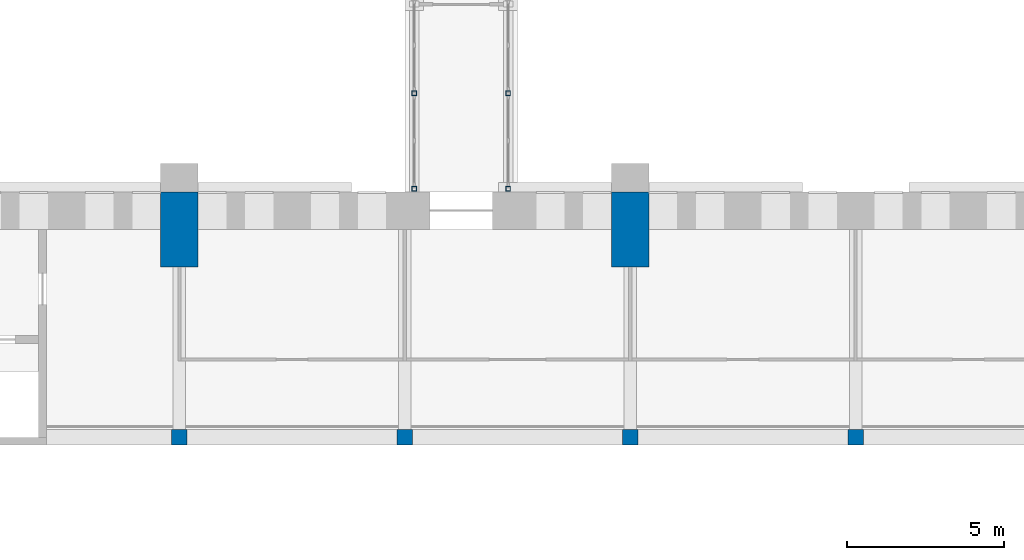
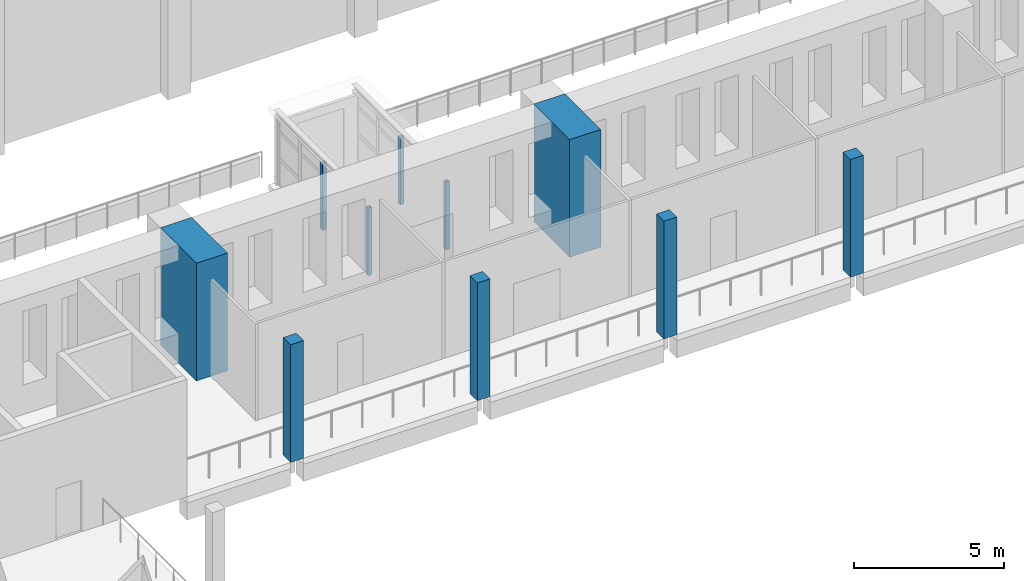
# One storey, part 17 of 131: 10 columns.
"""IFC4 building model written with IfcOpenShell, lengths in metres."""

from ifc_helpers import new_model, si_unit, direction, frame, origin, origin_2d, place, context, subcontext, project, spatial, rectangle, hollow_rectangle, extrude, material, material_profile, profile_set, type_object, element, save


model = new_model("IFC4")

# Units and contexts
model_context = context("Model", 3, precision=1e-05, world=origin(), true_north=direction((0.0, 1.0)))
body_context = subcontext(model_context, "Body", "Model", "MODEL_VIEW")
ifc_project = project(units=[si_unit("LENGTHUNIT", "METRE"), si_unit("AREAUNIT", "SQUARE_METRE"), si_unit("VOLUMEUNIT", "CUBIC_METRE"), si_unit("PLANEANGLEUNIT", "RADIAN"), si_unit("MASSUNIT", "GRAM", prefix="KILO")], contexts=[model_context])

# Site, building, storey
site_placement = place(None, origin())
site = spatial("IfcSite", under=ifc_project, at=site_placement, CompositionType="ELEMENT")
building_placement = place(site_placement, origin())
building = spatial("IfcBuilding", under=site, at=building_placement, Name="Alderwick Market Hall", CompositionType="ELEMENT")
storey_placement = place(building_placement, frame((0.0, 0.0, 4.800048828125)))
storey = spatial("IfcBuildingStorey", under=building, at=storey_placement, Name="L00", CompositionType="ELEMENT", Elevation=4.800048828125)

# Columns
ifc_material_1 = material(Name="Concrete 5000 psi (f'c 35 MPa)", Category="concrete")
ifc_material_profile_1 = material_profile(ifc_material_1, rectangle(XDim=0.5, YDim=0.5, at=origin_2d()), Name="RC 500x500")
ifc_profile_set_1 = profile_set([ifc_material_profile_1], Name="Concrete 5000 psi (f'c 35 MPa)")
column_type_1 = type_object("IfcColumnType", Name="H Column 500x500", PredefinedType="COLUMN", material=ifc_profile_set_1)
for number, where, z_axis, x_axis, name in (
    (1, (64.800048828125, 100.760009765625, 0.0), (0.0, 0.0, 1.0), (1.0, 0.0, 0.0), "Gallery column N2"),
    (2, (72.0, 100.760009765625, 0.0), (0.0, 0.0, 1.0), (1.0, 0.0, 0.0), "Gallery column N4"),
    (3, (79.199951171875, 100.760009765625, 0.0), (0.0, 0.0, 1.0), (1.0, 0.0, 0.0), "Gallery column N6"),
    (4, (86.39990234375, 100.760009765625, 0.0), (0.0, 0.0, 1.0), (1.0, 0.0, 0.0), "Gallery column N8"),
):
    element("IfcColumn", number, at=place(storey_placement, frame(where, z_axis=z_axis, x_axis=x_axis)), inside=storey, type_object=column_type_1, Name=name, PredefinedType="COLUMN", context=body_context, shape_type="SweptSolid", body=[
        extrude(rectangle(XDim=0.5, YDim=0.5, at=origin_2d()), origin(), (0.0, 0.0, 1.0), 4.800048828125),
    ])
ifc_material_2 = material(Name="Steel ASTM A500 Grade C", Category="steel")
ifc_material_profile_2 = material_profile(ifc_material_2, hollow_rectangle(XDim=0.152099609375, YDim=0.152099609375, WallThickness=0.009521484375, at=origin_2d()), Name="HSS152x152x9.5")
ifc_profile_set_2 = profile_set([ifc_material_profile_2], Name="Steel ASTM A500 Grade C")
column_type_2 = type_object("IfcColumnType", Name="P HSS Column 152x152x9.5", PredefinedType="COLUMN", material=ifc_profile_set_2)
for number, where, z_axis, x_axis, name in (
    (5, (72.300048828125, 108.699951171875, 0.0), (0.0, 0.0, 1.0), (1.0, 0.0, 0.0), "P.P1.col.a0"),
    (6, (72.300048828125, 111.75, 0.0), (0.0, 0.0, 1.0), (1.0, 0.0, 0.0), "P.P1.col.a1"),
    (7, (75.300048828125, 108.699951171875, 0.0), (0.0, 0.0, 1.0), (1.0, 0.0, 0.0), "P.P1.col.b0"),
    (8, (75.300048828125, 111.75, 0.0), (0.0, 0.0, 1.0), (1.0, 0.0, 0.0), "P.P1.col.b1"),
):
    element("IfcColumn", number, at=place(storey_placement, frame(where, z_axis=z_axis, x_axis=x_axis)), inside=storey, type_object=column_type_2, Name=name, PredefinedType="COLUMN", context=body_context, shape_type="SweptSolid", body=[
        extrude(hollow_rectangle(XDim=0.152099609375, YDim=0.152099609375, WallThickness=0.009521484375, at=origin_2d()), origin(), (0.0, 0.0, 1.0), 2.7529296875),
    ])
ifc_material_profile_3 = material_profile(ifc_material_1, rectangle(XDim=1.199951171875, YDim=2.39990234375, at=origin_2d()), Name="RC 1200x2400")
ifc_profile_set_3 = profile_set([ifc_material_profile_3], Name="Concrete 5000 psi (f'c 35 MPa)")
column_type_3 = type_object("IfcColumnType", Name="R Buttress Pier 1200x2400", PredefinedType="COLUMN", material=ifc_profile_set_3)
for number, where, z_axis, x_axis, name in (
    (9, (64.800048828125, 107.39990234375, 0.0), (0.0, 0.0, 1.0), (1.0, 0.0, 0.0), "Buttress pier N2 L00"),
    (10, (79.199951171875, 107.39990234375, 0.0), (0.0, 0.0, 1.0), (1.0, 0.0, 0.0), "Buttress pier N3 L00"),
):
    element("IfcColumn", number, at=place(storey_placement, frame(where, z_axis=z_axis, x_axis=x_axis)), inside=storey, type_object=column_type_3, Name=name, PredefinedType="COLUMN", context=body_context, shape_type="SweptSolid", body=[
        extrude(rectangle(XDim=1.199951171875, YDim=2.39990234375, at=origin_2d()), origin(), (0.0, 0.0, 1.0), 4.800048828125),
    ])

save(model, "model.ifc")
